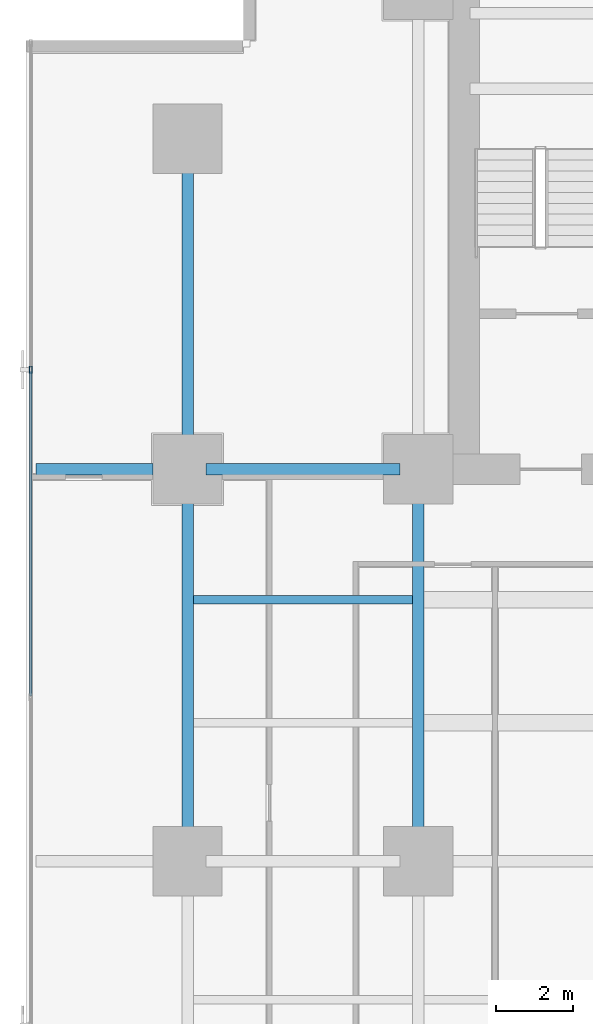
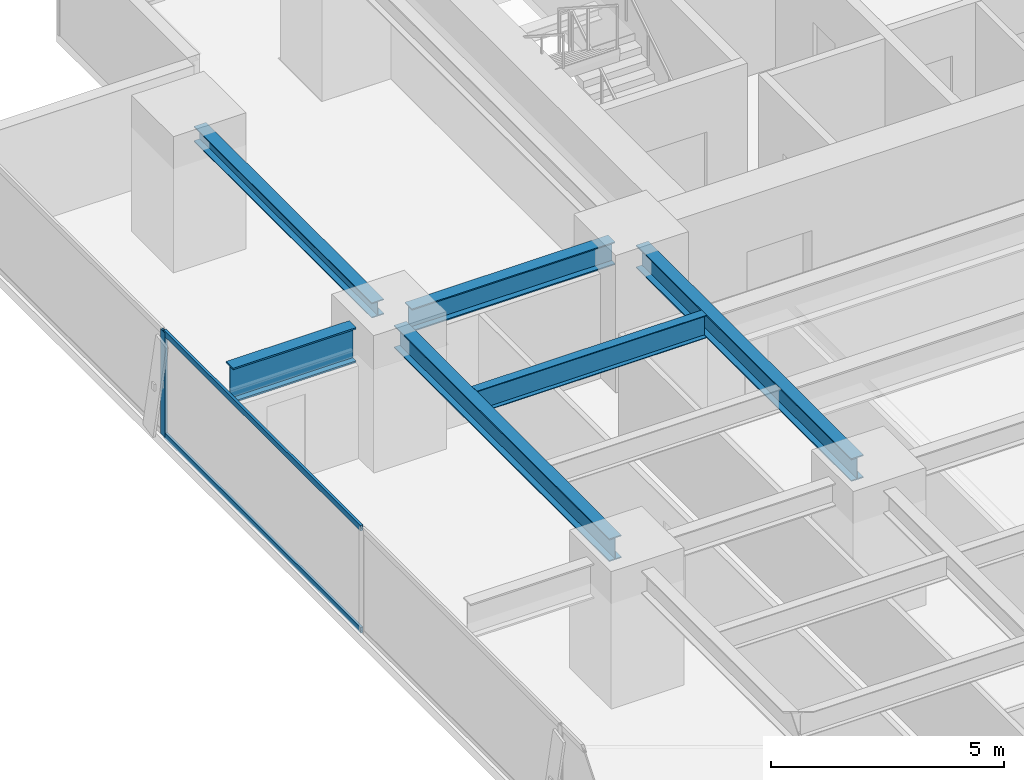
# One storey, part 16 of 33: 6 beams, 3 members, 1 element without a shape of its own.
"""IFC4 building model written with IfcOpenShell, lengths in metres."""

import ifcopenshell
import ifcopenshell.guid

model = None  # the IFC model being written
_history = None  # IfcOwnerHistory: only IFC2X3 demands one
_inside = {}  # id of a spatial element -> (the spatial element, [elements in it])
_under = {}  # id of a project, library or spatial element -> (it, [spatial elements below it])
_declared = {}  # id of a project -> (the project, [libraries it declares])
_typed = {}  # id of a type object -> (the type object, [elements of that type])
_made_of = {}  # id of a material, layer set ... -> (it, [elements and type objects made of it])


def new_model(schema):
    """Start an empty IFC model of exactly this schema.

    Asked for "IFC4X3", IfcOpenShell would pick the latest addendum, in which some entities
    have other attributes; the version numbers below select the first issue.
    IFC2X3 requires an IfcOwnerHistory on every rooted entity: one is made here for all.
    """
    global model, _history
    if schema == "IFC4X3":
        model = ifcopenshell.file(schema_version=(4, 3, 0, 0))
    else:
        model = ifcopenshell.file(schema=schema)
    _inside.clear()
    _under.clear()
    _declared.clear()
    _typed.clear()
    _made_of.clear()
    _history = None
    if model.schema == "IFC2X3":
        org = make("IfcOrganization", Name="unknown")
        user = make(
            "IfcPersonAndOrganization",
            ThePerson=make("IfcPerson", FamilyName="unknown"),
            TheOrganization=org,
        )
        app = make(
            "IfcApplication",
            ApplicationDeveloper=org,
            Version="unknown",
            ApplicationFullName="unknown",
            ApplicationIdentifier="unknown",
        )
        _history = make(
            "IfcOwnerHistory",
            OwningUser=user,
            OwningApplication=app,
            ChangeAction="ADDED",
            CreationDate=0,
        )
    return model


def make(cls, **values):
    """One entity of the class cls with the attributes given. An attribute that is None is left unset."""
    return model.create_entity(
        cls, **{name: value for name, value in values.items() if value is not None}
    )


def rooted(cls, **values):
    """An entity with a GlobalId (a new one), such as an element, a storey or a relation."""
    return make(cls, GlobalId=ifcopenshell.guid.new(), OwnerHistory=_history, **values)


def si_unit(unit_type, name, prefix=None):
    """IfcSIUnit, for example si_unit("LENGTHUNIT", "METRE", prefix="MILLI")."""
    return make("IfcSIUnit", UnitType=unit_type, Prefix=prefix, Name=name)


def assignment(units):
    """IfcUnitAssignment: the units of a project."""
    return None if units is None else make("IfcUnitAssignment", Units=units)


def point(xyz):
    """IfcCartesianPoint."""
    return None if xyz is None else make("IfcCartesianPoint", Coordinates=xyz)


def direction(xyz):
    """IfcDirection."""
    return None if xyz is None else make("IfcDirection", DirectionRatios=xyz)


def frame(location, z_axis=None, x_axis=None):
    """IfcAxis2Placement3D, a coordinate frame: its origin and axes. An axis left out is left unset."""
    return make(
        "IfcAxis2Placement3D",
        Location=point(location),
        Axis=direction(z_axis),
        RefDirection=direction(x_axis),
    )


def frame_2d(location, x_axis=None):
    """IfcAxis2Placement2D, a coordinate frame in the plane: its origin and x axis."""
    return make(
        "IfcAxis2Placement2D", Location=point(location), RefDirection=direction(x_axis)
    )


def origin():
    """The frame at (0, 0, 0) with its axes left unset."""
    return frame((0.0, 0.0, 0.0))


def origin_2d():
    """The frame at (0, 0) in the plane with its x axis left unset."""
    return frame_2d((0.0, 0.0))


def place(relative_to, where):
    """IfcLocalPlacement: puts the frame where relative to a parent placement (None: the world)."""
    return make(
        "IfcLocalPlacement", PlacementRelTo=relative_to, RelativePlacement=where
    )


def context(
    kind, dimensions, precision=None, world=None, true_north=None, identifier=None
):
    """IfcGeometricRepresentationContext, for example the 3D "Model" context."""
    return make(
        "IfcGeometricRepresentationContext",
        ContextIdentifier=identifier,
        ContextType=kind,
        CoordinateSpaceDimension=dimensions,
        Precision=precision,
        WorldCoordinateSystem=world,
        TrueNorth=true_north,
    )


def subcontext(parent, identifier, kind, view, scale=None):
    """IfcGeometricRepresentationSubContext, for example "Body" below "Model"."""
    return make(
        "IfcGeometricRepresentationSubContext",
        ContextIdentifier=identifier,
        ContextType=kind,
        ParentContext=parent,
        TargetScale=scale,
        TargetView=view,
    )


def project(units=None, contexts=None):
    """IfcProject with its units and contexts."""
    return rooted(
        "IfcProject",
        Name="project",
        RepresentationContexts=contexts,
        UnitsInContext=assignment(units),
    )


def spatial(cls, under=None, at=None, **own):
    """A site, building, storey or space (cls), placed at a placement, below another one or the project."""
    s = rooted(cls, ObjectPlacement=at, **own)
    if under is not None:
        _under.setdefault(under.id(), (under, []))[1].append(s)
    return s


def profile(cls, at=None, kind="AREA", **sizes):
    """A parametric profile (cls). Its sizes go by their IFC names, for example OverallWidth=200.0."""
    return make(cls, ProfileType=kind, Position=at, **sizes)


def hollow_rectangle(**sizes):
    """IfcRectangleHollowProfileDef."""
    return profile("IfcRectangleHollowProfileDef", **sizes)


def i_section(**sizes):
    """IfcIShapeProfileDef."""
    return profile("IfcIShapeProfileDef", **sizes)


def extrude(swept, where, along, depth):
    """IfcExtrudedAreaSolid: the profile swept, set in the frame where, extruded along a direction by depth."""
    return make(
        "IfcExtrudedAreaSolid",
        SweptArea=swept,
        Position=where,
        ExtrudedDirection=direction(along),
        Depth=depth,
    )


def shape(context_of_items, identifier, shape_type, items):
    """IfcShapeRepresentation: the items that make up one representation, for example the "Body"."""
    return make(
        "IfcShapeRepresentation",
        ContextOfItems=context_of_items,
        RepresentationIdentifier=identifier,
        RepresentationType=shape_type,
        Items=items,
    )


def source(mapping_origin, context_of_items, identifier, shape_type, items):
    """IfcRepresentationMap: a shape defined once, which mapped items show again and again."""
    return make(
        "IfcRepresentationMap",
        MappingOrigin=mapping_origin,
        MappedRepresentation=shape(context_of_items, identifier, shape_type, items),
    )


def transform(
    local_origin,
    x_axis=None,
    y_axis=None,
    z_axis=None,
    scale=None,
    scale2=None,
    scale3=None,
    uniform=True,
):
    """IfcCartesianTransformationOperator3D, or its non-uniform kind. x_axis, y_axis, z_axis: its Axis1, 2, 3."""
    if uniform:
        return make(
            "IfcCartesianTransformationOperator3D",
            Axis1=direction(x_axis),
            Axis2=direction(y_axis),
            LocalOrigin=point(local_origin),
            Scale=scale,
            Axis3=direction(z_axis),
        )
    return make(
        "IfcCartesianTransformationOperator3DnonUniform",
        Axis1=direction(x_axis),
        Axis2=direction(y_axis),
        LocalOrigin=point(local_origin),
        Scale=scale,
        Axis3=direction(z_axis),
        Scale2=scale2,
        Scale3=scale3,
    )


def mapped(mapping_source, mapping_target):
    """IfcMappedItem: shows the shape of a source again, moved by a transform."""
    return make(
        "IfcMappedItem", MappingSource=mapping_source, MappingTarget=mapping_target
    )


def material(Name=None, Category=None):
    """IfcMaterial."""
    return make("IfcMaterial", Name=Name, Category=Category)


def layer(
    of_material, thickness, ventilated=None, Name=None, Category=None, Priority=None
):
    """IfcMaterialLayer: one layer of a wall or slab, of a material (None: an air gap)."""
    return make(
        "IfcMaterialLayer",
        Material=of_material,
        LayerThickness=thickness,
        IsVentilated=ventilated,
        Name=Name,
        Category=Category,
        Priority=Priority,
    )


def layer_set(layers, Name=None):
    """IfcMaterialLayerSet."""
    return make("IfcMaterialLayerSet", MaterialLayers=layers, LayerSetName=Name)


def material_profile(
    of_material, cross_section, Name=None, Category=None, Priority=None
):
    """IfcMaterialProfile: a cross section and its material."""
    return make(
        "IfcMaterialProfile",
        Name=Name,
        Material=of_material,
        Profile=cross_section,
        Priority=Priority,
        Category=Category,
    )


def profile_set(profiles, Name=None, composite=None):
    """IfcMaterialProfileSet."""
    return make(
        "IfcMaterialProfileSet",
        Name=Name,
        MaterialProfiles=profiles,
        CompositeProfile=composite,
    )


def made_of(thing, what):
    """Note that an element or type object is made of a material, layer set ...; save() writes the relation."""
    if what is not None:
        _made_of.setdefault(what.id(), (what, []))[1].append(thing)
    return thing


def type_object(cls, material=None, **own):
    """A type object (cls), such as IfcWallType, which elements share."""
    return made_of(rooted(cls, **own), material)


def element(
    cls,
    number,
    at=None,
    inside=None,
    cuts=None,
    type_object=None,
    material=None,
    context=None,
    identifier="Body",
    shape_type=None,
    held_by="IfcProductDefinitionShape",
    body=None,
    shapes=None,
    **own,
):
    """One element of the class cls, such as IfcWall. Its Tag is "e" and its number.

    at: its placement. inside: the storey or other place that contains it. cuts: it is an
    opening in that element (IfcRelVoidsElement). A single representation is given by context,
    identifier, shape_type and body (its items); several are given by shapes. held_by: the class
    of the entity that holds the representations. save() writes the other relations.
    """
    e = rooted(cls, Tag="e%d" % number, ObjectPlacement=at, **own)
    if body is not None:
        shapes = [shape(context, identifier, shape_type, body)]
    if shapes is not None:
        e.Representation = make(held_by, Representations=shapes)
    if inside is not None:
        _inside.setdefault(inside.id(), (inside, []))[1].append(e)
    if cuts is not None:
        rooted(
            "IfcRelVoidsElement", RelatingBuildingElement=cuts, RelatedOpeningElement=e
        )
    if type_object is not None:
        _typed.setdefault(type_object.id(), (type_object, []))[1].append(e)
    return made_of(e, material)


def aggregate(whole, parts):
    """IfcRelAggregates: a whole, such as a stair, and the parts it consists of."""
    return rooted("IfcRelAggregates", RelatingObject=whole, RelatedObjects=parts)


def save(model, path):
    """Write the relations noted so far, then the file.

    IfcRelAggregates (storeys below a building ...), IfcRelContainedInSpatialStructure (elements
    in a storey), IfcRelDefinesByType, IfcRelAssociatesMaterial and IfcRelDeclares: one each for
    every whole, place, type object, material and project.
    """
    for whole, parts in _under.values():
        aggregate(whole, parts)
    for where, things in _inside.values():
        rooted(
            "IfcRelContainedInSpatialStructure",
            RelatedElements=things,
            RelatingStructure=where,
        )
    for kind, things in _typed.values():
        rooted("IfcRelDefinesByType", RelatedObjects=things, RelatingType=kind)
    for what, things in _made_of.values():
        rooted("IfcRelAssociatesMaterial", RelatedObjects=things, RelatingMaterial=what)
    for by, libraries in _declared.values():
        rooted("IfcRelDeclares", RelatingContext=by, RelatedDefinitions=libraries)
    model.write(path)


model = new_model("IFC4")

# Units and contexts
model_context = context("Model", 3, precision=1e-05, world=origin(), true_north=direction((0.0, 1.0)))
body_context = subcontext(model_context, "Body", "Model", "MODEL_VIEW")
ifc_project = project(units=[si_unit("LENGTHUNIT", "METRE"), si_unit("AREAUNIT", "SQUARE_METRE"), si_unit("VOLUMEUNIT", "CUBIC_METRE"), si_unit("PLANEANGLEUNIT", "RADIAN"), si_unit("MASSUNIT", "GRAM", prefix="KILO")], contexts=[model_context])

# Site, building, storey
site_placement = place(None, origin())
site = spatial("IfcSite", under=ifc_project, at=site_placement, CompositionType="ELEMENT")
building_placement = place(site_placement, origin())
building = spatial("IfcBuilding", under=site, at=building_placement, Name="Sumidabori Civic Tower", CompositionType="ELEMENT")
storey_placement = place(building_placement, frame((0.0, 0.0, 38.0)))
storey = spatial("IfcBuildingStorey", under=building, at=storey_placement, Name="L09", CompositionType="ELEMENT", Elevation=38.0)

# Beams
ifc_material_1 = material(Name="Steel SN490", Category="steel")
ifc_material_profile_1 = material_profile(ifc_material_1, i_section(OverallWidth=0.300048828125, OverallDepth=0.60009765625, WebThickness=0.015380859375, FlangeThickness=0.030029296875, at=origin_2d()), Name="HE 600 B")
ifc_profile_set_1 = profile_set([ifc_material_profile_1], Name="Steel SN490")
beam_type_1 = type_object("IfcBeamType", Name="BM-GIRD-600", PredefinedType="BEAM", material=ifc_profile_set_1)
shared_shape_1 = source(origin(), body_context, "Body", "SweptSolid", [
    extrude(i_section(OverallWidth=0.300048828125, OverallDepth=0.60009765625, WebThickness=0.015380859375, FlangeThickness=0.030029296875, at=origin_2d()), origin(), (0.0, 0.0, 1.0), 5.0400390625),
])
beam_1_placement = place(storey_placement, frame((-22.320068359375, 10.199951171875, 3.06005859375), z_axis=(1.0, 0.0, 0.0), x_axis=(0.0, 1.0, 0.0)))
element("IfcBeam", 1, at=beam_1_placement, inside=storey, type_object=beam_type_1, Name="Primary Girder L09 GX-19", PredefinedType="BEAM", context=body_context, shape_type="MappedRepresentation", body=[
    mapped(shared_shape_1, transform((0.0, 0.0, 0.0), x_axis=(1.0, 0.0, 0.0), y_axis=(0.0, 1.0, 0.0), z_axis=(0.0, 0.0, 1.0), scale=1.0)),
])
shared_shape_2 = source(origin(), body_context, "Body", "SweptSolid", [
    extrude(i_section(OverallWidth=0.300048828125, OverallDepth=0.60009765625, WebThickness=0.015380859375, FlangeThickness=0.030029296875, at=origin_2d()), origin(), (0.0, 0.0, 1.0), 9.239990234375),
])
for number, where, z_axis, x_axis, name in (
    (2, (-22.800048828125, 0.47998046875, 3.06005859375), (0.0, 1.0, 0.0), (-1.0, 0.0, 0.0), "Primary Girder L09 GY-23"),
    (3, (-16.800048828125, 0.47998046875, 3.06005859375), (0.0, 1.0, 0.0), (-1.0, 0.0, 0.0), "Primary Girder L09 GY-27"),
):
    element("IfcBeam", number, at=place(storey_placement, frame(where, z_axis=z_axis, x_axis=x_axis)), inside=storey, type_object=beam_type_1, Name=name, PredefinedType="BEAM", context=body_context, shape_type="MappedRepresentation", body=[
        mapped(shared_shape_2, transform((0.0, 0.0, 0.0), x_axis=(1.0, 0.0, 0.0), y_axis=(0.0, 1.0, 0.0), z_axis=(0.0, 0.0, 1.0), scale=1.0)),
    ])
ifc_material_profile_2 = material_profile(ifc_material_1, i_section(OverallWidth=0.300048828125, OverallDepth=0.39990234375, WebThickness=0.013427734375, FlangeThickness=0.02392578125, at=origin_2d()), Name="HE 400 B")
ifc_profile_set_2 = profile_set([ifc_material_profile_2], Name="Steel SN490")
beam_type_2 = type_object("IfcBeamType", Name="BM-GIRD-400", PredefinedType="BEAM", material=ifc_profile_set_2)
shared_shape_3 = source(origin(), body_context, "Body", "SweptSolid", [
    extrude(i_section(OverallWidth=0.300048828125, OverallDepth=0.39990234375, WebThickness=0.013427734375, FlangeThickness=0.02392578125, at=origin_2d()), origin(), (0.0, 0.0, 1.0), 7.64013671875),
])
beam_2_placement = place(storey_placement, frame((-22.800048828125, 10.679931640625, 3.159912109375), z_axis=(0.0, 1.0, 0.0), x_axis=(-1.0, 0.0, 0.0)))
element("IfcBeam", 4, at=beam_2_placement, inside=storey, type_object=beam_type_2, Name="Primary Girder L09 GY-24", PredefinedType="BEAM", context=body_context, shape_type="MappedRepresentation", body=[
    mapped(shared_shape_3, transform((0.0, 0.0, 0.0), x_axis=(1.0, 0.0, 0.0), y_axis=(0.0, 1.0, 0.0), z_axis=(0.0, 0.0, 1.0), scale=1.0)),
])
ifc_material_profile_3 = material_profile(ifc_material_1, i_section(OverallWidth=0.302001953125, OverallDepth=0.909912109375, WebThickness=0.02099609375, FlangeThickness=0.0400390625, at=origin_2d()), Name="HE 900 M")
ifc_profile_set_3 = profile_set([ifc_material_profile_3], Name="Steel SN490")
beam_type_3 = type_object("IfcBeamType", Name="BM-Z1-EDGE", PredefinedType="SPANDREL", material=ifc_profile_set_3)
shared_shape_4 = source(origin(), body_context, "Body", "SweptSolid", [
    extrude(i_section(OverallWidth=0.302001953125, OverallDepth=0.909912109375, WebThickness=0.02099609375, FlangeThickness=0.0400390625, at=origin_2d()), origin(), (0.0, 0.0, 1.0), 3.050048828125),
])
beam_3_placement = place(storey_placement, frame((-26.75, 10.199951171875, 2.905029296875), z_axis=(1.0, 0.0, 0.0), x_axis=(0.0, 1.0, 0.0)))
element("IfcBeam", 5, at=beam_3_placement, inside=storey, type_object=beam_type_3, Name="Perimeter Overhang Beam L09 W-48", PredefinedType="SPANDREL", context=body_context, shape_type="MappedRepresentation", body=[
    mapped(shared_shape_4, transform((0.0, 0.0, 0.0), x_axis=(1.0, 0.0, 0.0), y_axis=(0.0, 1.0, 0.0), z_axis=(0.0, 0.0, 1.0), scale=1.0)),
])
ifc_material_profile_4 = material_profile(ifc_material_1, i_section(OverallWidth=0.219970703125, OverallDepth=0.60009765625, WebThickness=0.011962890625, FlangeThickness=0.01904296875, at=origin_2d()), Name="IPE 600")
ifc_profile_set_4 = profile_set([ifc_material_profile_4], Name="Steel SN490")
beam_type_4 = type_object("IfcBeamType", Name="BM-JST-600", PredefinedType="JOIST", material=ifc_profile_set_4)
shared_shape_5 = source(origin(), body_context, "Body", "SweptSolid", [
    extrude(i_section(OverallWidth=0.219970703125, OverallDepth=0.60009765625, WebThickness=0.011962890625, FlangeThickness=0.01904296875, at=origin_2d()), origin(), (0.0, 0.0, 1.0), 5.699951171875),
])
beam_4_placement = place(storey_placement, frame((-22.64990234375, 6.800048828125, 3.06005859375), z_axis=(1.0, 0.0, 0.0), x_axis=(0.0, 1.0, 0.0)))
element("IfcBeam", 6, at=beam_4_placement, inside=storey, type_object=beam_type_4, Name="Outer Bay Floor Joist L09 JSTO-55", PredefinedType="JOIST", context=body_context, shape_type="MappedRepresentation", body=[
    mapped(shared_shape_5, transform((0.0, 0.0, 0.0), x_axis=(1.0, 0.0, 0.0), y_axis=(0.0, 1.0, 0.0), z_axis=(0.0, 0.0, 1.0), scale=1.0)),
])

# Curtain wall, members
ifc_material_2 = material(Name="Anodised Bronze Aluminium AW-6063-T6", Category="aluminium")
ifc_layer = layer(ifc_material_2, 0.179931640625, Name="Anodised Bronze Aluminium AW-6063-T6")
ifc_layer_set = layer_set([ifc_layer], Name="Anodised Bronze Aluminium AW-6063-T6")
curtain_wall_type = type_object("IfcCurtainWallType", Name="CW-SYS-2", PredefinedType="NOTDEFINED", material=ifc_layer_set)
curtain_wall_placement = place(storey_placement, origin())
curtain_wall = element("IfcCurtainWall", 7, at=curtain_wall_placement, inside=storey, type_object=curtain_wall_type, Name="Curtain Wall CW:L09:R10", PredefinedType="NOTDEFINED")
ifc_material_profile_5 = material_profile(ifc_material_2, hollow_rectangle(XDim=0.070068359375, YDim=0.179931640625, WallThickness=0.006103515625, at=origin_2d()), Name="ALU MULLION 180x70")
ifc_profile_set_5 = profile_set([ifc_material_profile_5], Name="Anodised Bronze Aluminium AW-6063-T6")
member_type_1 = type_object("IfcMemberType", Name="CW-MUL-180", PredefinedType="MULLION", material=ifc_profile_set_5)
shared_shape_6 = source(origin(), body_context, "Body", "SweptSolid", [
    extrude(hollow_rectangle(XDim=0.070068359375, YDim=0.179931640625, WallThickness=0.006103515625, at=origin_2d()), origin(), (0.0, 0.0, 1.0), 2.739990234375),
])
member_1_placement = place(storey_placement, frame((-26.8798828125, 12.7919921875, 0.0), z_axis=(0.0, 0.0, 1.0), x_axis=(1.0, 0.0, 0.0)))
member_1 = element("IfcMember", 8, at=member_1_placement, type_object=member_type_1, Name="CW-2 mullion 2", PredefinedType="MULLION", context=body_context, shape_type="MappedRepresentation", body=[
    mapped(shared_shape_6, transform((0.0, 0.0, 0.0), x_axis=(1.0, 0.0, 0.0), y_axis=(0.0, 1.0, 0.0), z_axis=(0.0, 0.0, 1.0), scale=1.0)),
])
ifc_material_profile_6 = material_profile(ifc_material_2, hollow_rectangle(XDim=0.06494140625, YDim=0.14990234375, WallThickness=0.0048828125, at=origin_2d()), Name="ALU TRANSOM 150x65")
ifc_profile_set_6 = profile_set([ifc_material_profile_6], Name="Anodised Bronze Aluminium AW-6063-T6")
member_type_2 = type_object("IfcMemberType", Name="CW-TRN-150", PredefinedType="USERDEFINED", material=ifc_profile_set_6)
shared_shape_7 = source(origin(), body_context, "Body", "SweptSolid", [
    extrude(hollow_rectangle(XDim=0.06494140625, YDim=0.14990234375, WallThickness=0.0048828125, at=origin_2d()), origin(), (0.0, 0.0, 1.0), 8.4580078125),
])
member_2_placement = place(storey_placement, frame((-26.8798828125, 12.757080078125, 0.032470703125), z_axis=(0.0, -1.0, 0.0), x_axis=(1.0, 0.0, 0.0)))
member_2 = element("IfcMember", 9, at=member_2_placement, type_object=member_type_2, Name="CW-2 transom 2.1", ObjectType="TRANSOM", PredefinedType="USERDEFINED", context=body_context, shape_type="MappedRepresentation", body=[
    mapped(shared_shape_7, transform((0.0, 0.0, 0.0), x_axis=(1.0, 0.0, 0.0), y_axis=(0.0, 1.0, 0.0), z_axis=(0.0, 0.0, 1.0), scale=1.0)),
])
member_3_placement = place(storey_placement, frame((-26.8798828125, 12.757080078125, 2.70751953125), z_axis=(0.0, -1.0, 0.0), x_axis=(1.0, 0.0, 0.0)))
member_3 = element("IfcMember", 10, at=member_3_placement, type_object=member_type_2, Name="CW-2 transom 2.2", ObjectType="TRANSOM", PredefinedType="USERDEFINED", context=body_context, shape_type="MappedRepresentation", body=[
    mapped(shared_shape_7, transform((0.0, 0.0, 0.0), x_axis=(1.0, 0.0, 0.0), y_axis=(0.0, 1.0, 0.0), z_axis=(0.0, 0.0, 1.0), scale=1.0)),
])
aggregate(curtain_wall, [member_1, member_2, member_3])

save(model, "model.ifc")
